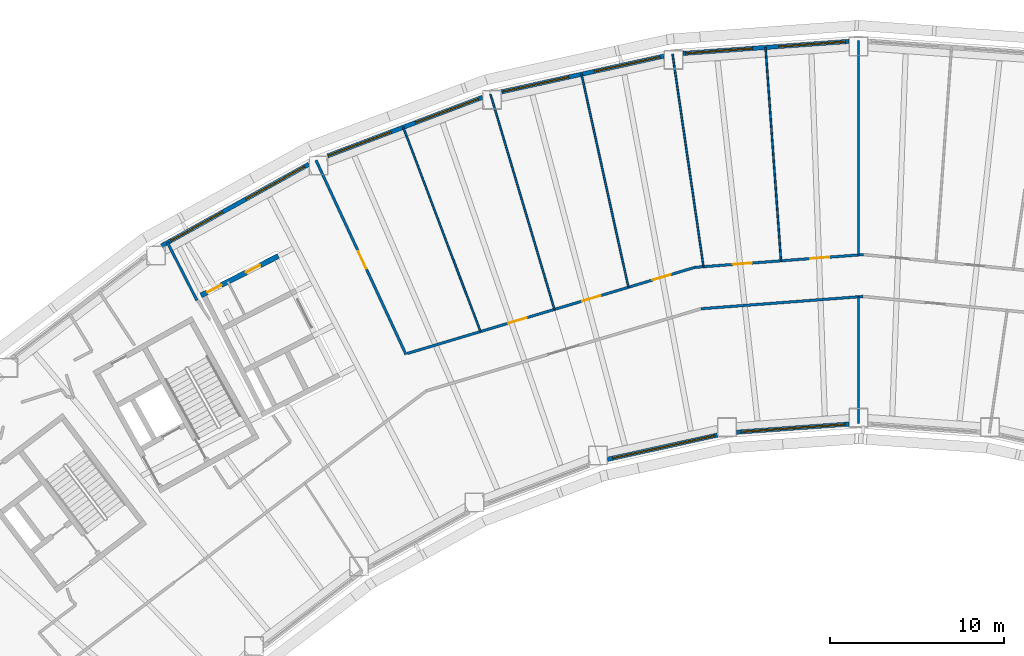
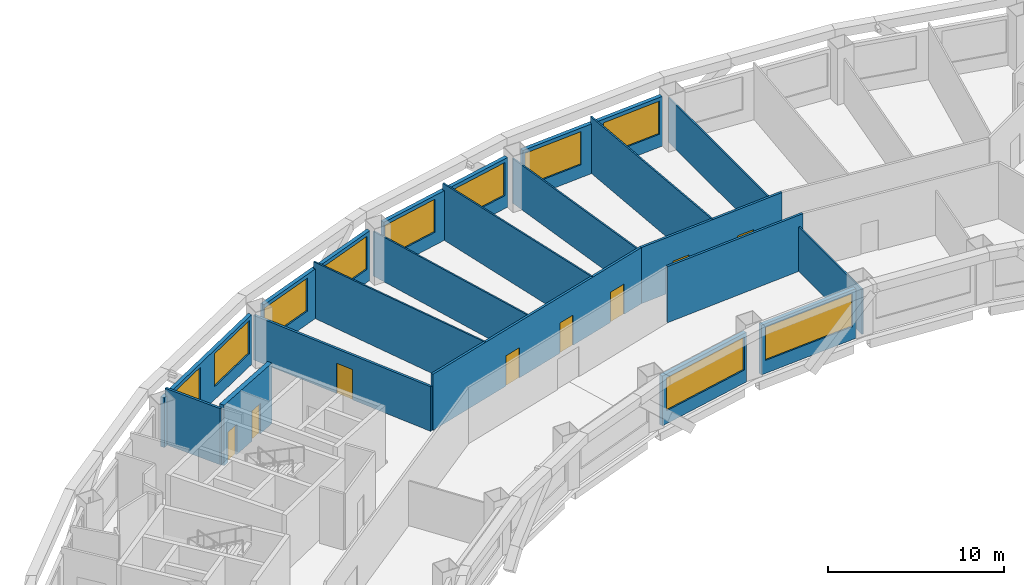
# One storey, part 5 of 16: 19 walls, 10 windows, 8 doors, 18 openings.
"""IFC4 building model written with IfcOpenShell, lengths in metres."""

from ifc_helpers import new_model, si_unit, direction, frame, frame_2d, origin, place, context, subcontext, project, spatial, rectangle, extrude, material, layer, layer_set, type_object, element, fill, save


model = new_model("IFC4")

# Units and contexts
model_context = context("Model", 3, precision=1e-05, world=origin(), true_north=direction((0.0, 1.0)))
body_context = subcontext(model_context, "Body", "Model", "MODEL_VIEW")
ifc_project = project(units=[si_unit("LENGTHUNIT", "METRE"), si_unit("AREAUNIT", "SQUARE_METRE"), si_unit("VOLUMEUNIT", "CUBIC_METRE"), si_unit("PLANEANGLEUNIT", "RADIAN"), si_unit("MASSUNIT", "GRAM", prefix="KILO")], contexts=[model_context])

# Site, building, storey
site_placement = place(None, origin())
site = spatial("IfcSite", under=ifc_project, at=site_placement, CompositionType="ELEMENT")
building_placement = place(site_placement, origin())
building = spatial("IfcBuilding", under=site, at=building_placement, Name="Tuul Gate Civic Tower", CompositionType="ELEMENT")
storey_placement = place(building_placement, frame((0.0, 0.0, 124.5)))
storey = spatial("IfcBuildingStorey", under=building, at=storey_placement, Name="Level 28", CompositionType="ELEMENT", Elevation=124.5)

# Wall, openings, doors
ifc_material_1 = material(Name="Gypsum board partition")
ifc_layer_1 = layer(ifc_material_1, 0.14990234375)
ifc_layer_set_1 = layer_set([ifc_layer_1], Name="Gypsum board partition")
wall_type_1 = type_object("IfcWallType", Name="Corridor wall P150", PredefinedType="PARTITIONING", material=ifc_layer_set_1)
wall_1_placement = place(storey_placement, frame((0.42431640625, 0.978271484375, 0.0), z_axis=(0.0, 0.0, 1.0), x_axis=(0.997139070822, 0.075588844679, 0.0)))
wall_1 = element("IfcWall", 1, at=wall_1_placement, inside=storey, type_object=wall_type_1, Name="p064", PredefinedType="PARTITIONING", context=body_context, shape_type="SweptSolid", body=[
    extrude(rectangle(XDim=9.708984375, YDim=0.14990234375, at=frame_2d((4.8544921875, 0.0))), origin(), (0.0, 0.0, 1.0), 3.89990234375),
])
opening_1_placement = place(wall_1_placement, frame((6.645263671875, 0.0, 0.0)))
opening_1 = element("IfcOpeningElement", 2, at=opening_1_placement, cuts=wall_1, Name="Opening I-D11", PredefinedType="OPENING", context=body_context, shape_type="SweptSolid", body=[
    extrude(rectangle(XDim=1.10009765625, YDim=2.10009765625, at=frame_2d((0.550048828125, 1.050048828125))), frame((0.0, 0.0849609375, 0.0), z_axis=(0.0, -1.0, 0.0), x_axis=(1.0, 0.0, 0.0)), (0.0, 0.0, 1.0), 0.169921875),
])
opening_2_placement = place(wall_1_placement, frame((2.17431640625, 0.0, 0.0)))
opening_2 = element("IfcOpeningElement", 3, at=opening_2_placement, cuts=wall_1, Name="Opening I-D12", PredefinedType="OPENING", context=body_context, shape_type="SweptSolid", body=[
    extrude(rectangle(XDim=1.10009765625, YDim=2.10009765625, at=frame_2d((0.550048828125, 1.050048828125))), frame((0.0, 0.0849609375, 0.0), z_axis=(0.0, -1.0, 0.0), x_axis=(1.0, 0.0, 0.0)), (0.0, 0.0, 1.0), 0.169921875),
])
ifc_material_2 = material(Name="Timber door leaf", Category="wood")
door_type_1 = type_object("IfcDoorType", Name="Door D11", OperationType="NOTDEFINED", PredefinedType="DOOR", material=ifc_material_2)
door_1_placement = place(opening_1_placement, origin())
door_1 = element("IfcDoor", 4, at=door_1_placement, inside=storey, type_object=door_type_1, Name="Door I-D11", OperationType="SINGLE_SWING_RIGHT", OverallHeight=2.10009765625, OverallWidth=1.10009765625, PredefinedType="DOOR", context=body_context, shape_type="SweptSolid", body=[
    extrude(rectangle(XDim=1.10009765625, YDim=2.10009765625, at=frame_2d((0.550048828125, 1.050048828125))), frame((0.0, 0.02490234375, 0.0), z_axis=(0.0, -1.0, 0.0), x_axis=(1.0, 0.0, 0.0)), (0.0, 0.0, 1.0), 0.050048828125),
])
fill(opening_1, door_1)
door_2_placement = place(opening_2_placement, origin())
door_2 = element("IfcDoor", 5, at=door_2_placement, inside=storey, type_object=door_type_1, Name="Door I-D12", OperationType="SINGLE_SWING_RIGHT", OverallHeight=2.10009765625, OverallWidth=1.10009765625, PredefinedType="DOOR", context=body_context, shape_type="SweptSolid", body=[
    extrude(rectangle(XDim=1.10009765625, YDim=2.10009765625, at=frame_2d((0.550048828125, 1.050048828125))), frame((0.0, 0.02490234375, 0.0), z_axis=(0.0, -1.0, 0.0), x_axis=(1.0, 0.0, 0.0)), (0.0, 0.0, 1.0), 0.050048828125),
])
fill(opening_2, door_2)

wall_2_placement = place(storey_placement, frame((-16.12744140625, -3.9775390625, 0.0), z_axis=(0.0, 0.0, 1.0), x_axis=(0.957976676309, 0.286846104467, 0.0)))
wall_2 = element("IfcWall", 6, at=wall_2_placement, inside=storey, type_object=wall_type_1, Name="p068", PredefinedType="PARTITIONING", context=body_context, shape_type="SweptSolid", body=[
    extrude(rectangle(XDim=17.276123046875, YDim=0.14990234375, at=frame_2d((8.63818359375, 0.0))), origin(), (0.0, 0.0, 1.0), 3.89990234375),
])
opening_3_placement = place(wall_2_placement, frame((14.728515625, 0.0, 0.0)))
opening_3 = element("IfcOpeningElement", 7, at=opening_3_placement, cuts=wall_2, Name="Opening I-D13", PredefinedType="OPENING", context=body_context, shape_type="SweptSolid", body=[
    extrude(rectangle(XDim=1.10009765625, YDim=2.10009765625, at=frame_2d((0.550048828125, 1.050048828125))), frame((0.0, 0.0849609375, 0.0), z_axis=(0.0, -1.0, 0.0), x_axis=(1.0, 0.0, 0.0)), (0.0, 0.0, 1.0), 0.169921875),
])
opening_4_placement = place(wall_2_placement, frame((10.51025390625, 0.0, 0.0)))
opening_4 = element("IfcOpeningElement", 8, at=opening_4_placement, cuts=wall_2, Name="Opening I-D14", PredefinedType="OPENING", context=body_context, shape_type="SweptSolid", body=[
    extrude(rectangle(XDim=1.10009765625, YDim=2.10009765625, at=frame_2d((0.550048828125, 1.050048828125))), frame((0.0, 0.0849609375, 0.0), z_axis=(0.0, -1.0, 0.0), x_axis=(1.0, 0.0, 0.0)), (0.0, 0.0, 1.0), 0.169921875),
])
opening_5_placement = place(wall_2_placement, frame((6.069091796875, 0.0, 0.0)))
opening_5 = element("IfcOpeningElement", 9, at=opening_5_placement, cuts=wall_2, Name="Opening I-D15", PredefinedType="OPENING", context=body_context, shape_type="SweptSolid", body=[
    extrude(rectangle(XDim=1.10009765625, YDim=2.10009765625, at=frame_2d((0.550048828125, 1.050048828125))), frame((0.0, 0.0849609375, 0.0), z_axis=(0.0, -1.0, 0.0), x_axis=(1.0, 0.0, 0.0)), (0.0, 0.0, 1.0), 0.169921875),
])
door_3_placement = place(opening_3_placement, origin())
door_3 = element("IfcDoor", 10, at=door_3_placement, inside=storey, type_object=door_type_1, Name="Door I-D13", OperationType="SINGLE_SWING_LEFT", OverallHeight=2.10009765625, OverallWidth=1.10009765625, PredefinedType="DOOR", context=body_context, shape_type="SweptSolid", body=[
    extrude(rectangle(XDim=1.10009765625, YDim=2.10009765625, at=frame_2d((0.550048828125, 1.050048828125))), frame((0.0, 0.02490234375, 0.0), z_axis=(0.0, -1.0, 0.0), x_axis=(1.0, 0.0, 0.0)), (0.0, 0.0, 1.0), 0.050048828125),
])
fill(opening_3, door_3)
door_4_placement = place(opening_4_placement, origin())
door_4 = element("IfcDoor", 11, at=door_4_placement, inside=storey, type_object=door_type_1, Name="Door I-D14", OperationType="SINGLE_SWING_RIGHT", OverallHeight=2.10009765625, OverallWidth=1.10009765625, PredefinedType="DOOR", context=body_context, shape_type="SweptSolid", body=[
    extrude(rectangle(XDim=1.10009765625, YDim=2.10009765625, at=frame_2d((0.550048828125, 1.050048828125))), frame((0.0, 0.02490234375, 0.0), z_axis=(0.0, -1.0, 0.0), x_axis=(1.0, 0.0, 0.0)), (0.0, 0.0, 1.0), 0.050048828125),
])
fill(opening_4, door_4)
door_5_placement = place(opening_5_placement, origin())
door_5 = element("IfcDoor", 12, at=door_5_placement, inside=storey, type_object=door_type_1, Name="Door I-D15", OperationType="SINGLE_SWING_RIGHT", OverallHeight=2.10009765625, OverallWidth=1.10009765625, PredefinedType="DOOR", context=body_context, shape_type="SweptSolid", body=[
    extrude(rectangle(XDim=1.10009765625, YDim=2.10009765625, at=frame_2d((0.550048828125, 1.050048828125))), frame((0.0, 0.02490234375, 0.0), z_axis=(0.0, -1.0, 0.0), x_axis=(1.0, 0.0, 0.0)), (0.0, 0.0, 1.0), 0.050048828125),
])
fill(opening_5, door_5)

# Walls
wall_3_placement = place(storey_placement, frame((-29.917236328125, 2.4052734375, 0.0), z_axis=(0.0, 0.0, 1.0), x_axis=(0.454025669569, -0.890988603391, 0.0)))
element("IfcWall", 13, at=wall_3_placement, inside=storey, type_object=wall_type_1, Name="p074", PredefinedType="PARTITIONING", context=body_context, shape_type="SweptSolid", body=[
    extrude(rectangle(XDim=3.734375, YDim=0.14990234375, at=frame_2d((1.8671875, 0.0))), origin(), (0.0, 0.0, 1.0), 3.89990234375),
])
wall_4_placement = place(storey_placement, frame((0.7783203125, -1.40185546875, 0.0), z_axis=(0.0, 0.0, 1.0), x_axis=(0.997138563909, 0.075595531385, 0.0)))
element("IfcWall", 14, at=wall_4_placement, inside=storey, type_object=wall_type_1, Name="p098", PredefinedType="PARTITIONING", context=body_context, shape_type="SweptSolid", body=[
    extrude(rectangle(XDim=9.326904296875, YDim=0.14990234375, at=frame_2d((4.66357421875, 0.0))), origin(), (0.0, 0.0, 1.0), 3.89990234375),
])

# Wall, opening, door
ifc_material_3 = material(Name="Gypsum board partition")
ifc_layer_2 = layer(ifc_material_3, 0.14990234375)
ifc_layer_set_2 = layer_set([ifc_layer_2], Name="Gypsum board partition")
wall_type_2 = type_object("IfcWallType", Name="Corridor wall P150 3100 HIGH", PredefinedType="PARTITIONING", material=ifc_layer_set_2)
wall_5_placement = place(storey_placement, frame((-21.374267578125, 7.140869140625, 0.0), z_axis=(0.0, 0.0, 1.0), x_axis=(0.420365460489, -0.907354880754, 0.0)))
wall_5 = element("IfcWall", 15, at=wall_5_placement, inside=storey, type_object=wall_type_2, Name="p073", PredefinedType="PARTITIONING", context=body_context, shape_type="SweptSolid", body=[
    extrude(rectangle(XDim=12.3125, YDim=0.14990234375, at=frame_2d((6.15625, 0.0))), origin(), (0.0, 0.0, 1.0), 3.10009765625),
])
opening_6_placement = place(wall_5_placement, frame((5.771728515625, 0.0, 0.0)))
opening_6 = element("IfcOpeningElement", 16, at=opening_6_placement, cuts=wall_5, Name="Opening I-D16", PredefinedType="OPENING", context=body_context, shape_type="SweptSolid", body=[
    extrude(rectangle(XDim=1.10009765625, YDim=2.10009765625, at=frame_2d((0.550048828125, 1.050048828125))), frame((0.0, 0.0849609375, 0.0), z_axis=(0.0, -1.0, 0.0), x_axis=(1.0, 0.0, 0.0)), (0.0, 0.0, 1.0), 0.169921875),
])
door_6_placement = place(opening_6_placement, origin())
door_6 = element("IfcDoor", 17, at=door_6_placement, inside=storey, type_object=door_type_1, Name="Door I-D16", OperationType="SINGLE_SWING_RIGHT", OverallHeight=2.10009765625, OverallWidth=1.10009765625, PredefinedType="DOOR", context=body_context, shape_type="SweptSolid", body=[
    extrude(rectangle(XDim=1.10009765625, YDim=2.10009765625, at=frame_2d((0.550048828125, 1.050048828125))), frame((0.0, 0.02490234375, 0.0), z_axis=(0.0, -1.0, 0.0), x_axis=(1.0, 0.0, 0.0)), (0.0, 0.0, 1.0), 0.050048828125),
])
fill(opening_6, door_6)

# Wall, openings, windows
ifc_material_4 = material(Name="Precast concrete C40/50", Category="concrete")
ifc_layer_3 = layer(ifc_material_4, 0.25)
ifc_layer_set_3 = layer_set([ifc_layer_3], Name="Precast concrete C40/50")
wall_type_3 = type_object("IfcWallType", Name="External wall", PredefinedType="STANDARD", material=ifc_layer_set_3)
wall_6_placement = place(storey_placement, frame((9.279052734375, 13.972900390625, 0.0), z_axis=(0.0, 0.0, 1.0), x_axis=(-0.99738031898, -0.072336016692, 0.0)))
wall_6 = element("IfcWall", 18, at=wall_6_placement, inside=storey, type_object=wall_type_3, Name="External wall", PredefinedType="STANDARD", context=body_context, shape_type="SweptSolid", body=[
    extrude(rectangle(XDim=9.5751953125, YDim=0.25, at=frame_2d((4.78759765625, 0.0))), origin(), (0.0, 0.0, 1.0), 3.449951171875),
])
opening_7_placement = place(wall_6_placement, frame((0.2001953125, 0.0, 0.89990234375)))
opening_7 = element("IfcOpeningElement", 19, at=opening_7_placement, cuts=wall_6, Name="Opening W22", PredefinedType="OPENING", context=body_context, shape_type="SweptSolid", body=[
    extrude(rectangle(XDim=3.85009765625, YDim=2.300048828125, at=frame_2d((1.925048828125, 1.14990234375))), frame((0.0, 0.135009765625, 0.0), z_axis=(0.0, -1.0, 0.0), x_axis=(1.0, 0.0, 0.0)), (0.0, 0.0, 1.0), 0.27001953125),
])
opening_8_placement = place(wall_6_placement, frame((5.57177734375, 0.0, 0.89990234375)))
opening_8 = element("IfcOpeningElement", 20, at=opening_8_placement, cuts=wall_6, Name="Opening W22", PredefinedType="OPENING", context=body_context, shape_type="SweptSolid", body=[
    extrude(rectangle(XDim=3.85009765625, YDim=2.300048828125, at=frame_2d((1.925048828125, 1.14990234375))), frame((0.0, 0.135009765625, 0.0), z_axis=(0.0, -1.0, 0.0), x_axis=(1.0, 0.0, 0.0)), (0.0, 0.0, 1.0), 0.27001953125),
])
ifc_material_5 = material(Name="Glass", Category="glass")
window_type_1 = type_object("IfcWindowType", Name="Window W22 3850 x 2300", PartitioningType="SINGLE_PANEL", PredefinedType="WINDOW", material=ifc_material_5)
window_1_placement = place(opening_7_placement, origin())
window_1 = element("IfcWindow", 21, at=window_1_placement, inside=storey, type_object=window_type_1, Name="Window", OverallHeight=2.300048828125, OverallWidth=3.85009765625, PartitioningType="SINGLE_PANEL", PredefinedType="WINDOW", context=body_context, shape_type="SweptSolid", body=[
    extrude(rectangle(XDim=3.85009765625, YDim=2.300048828125, at=frame_2d((1.925048828125, 1.14990234375))), frame((0.0, 0.030029296875, 0.0), z_axis=(0.0, -1.0, 0.0), x_axis=(1.0, 0.0, 0.0)), (0.0, 0.0, 1.0), 0.06005859375),
])
fill(opening_7, window_1)
window_2_placement = place(opening_8_placement, origin())
window_2 = element("IfcWindow", 22, at=window_2_placement, inside=storey, type_object=window_type_1, Name="Window", OverallHeight=2.300048828125, OverallWidth=3.85009765625, PartitioningType="SINGLE_PANEL", PredefinedType="WINDOW", context=body_context, shape_type="SweptSolid", body=[
    extrude(rectangle(XDim=3.85009765625, YDim=2.300048828125, at=frame_2d((1.925048828125, 1.14990234375))), frame((0.0, 0.030029296875, 0.0), z_axis=(0.0, -1.0, 0.0), x_axis=(1.0, 0.0, 0.0)), (0.0, 0.0, 1.0), 0.06005859375),
])
fill(opening_8, window_2)

wall_7_placement = place(storey_placement, frame((-1.37109375, 13.126220703125, 0.0), z_axis=(0.0, 0.0, 1.0), x_axis=(-0.976556736289, -0.215260170047, 0.0)))
wall_7 = element("IfcWall", 23, at=wall_7_placement, inside=storey, type_object=wall_type_3, Name="External wall", PredefinedType="STANDARD", context=body_context, shape_type="SweptSolid", body=[
    extrude(rectangle(XDim=9.55078125, YDim=0.25, at=frame_2d((4.775390625, 0.0))), origin(), (0.0, 0.0, 1.0), 3.449951171875),
])
opening_9_placement = place(wall_7_placement, frame((0.236328125, 0.0, 0.89990234375)))
opening_9 = element("IfcOpeningElement", 24, at=opening_9_placement, cuts=wall_7, Name="Opening W22", PredefinedType="OPENING", context=body_context, shape_type="SweptSolid", body=[
    extrude(rectangle(XDim=3.85009765625, YDim=2.300048828125, at=frame_2d((1.925048828125, 1.14990234375))), frame((0.0, 0.135009765625, 0.0), z_axis=(0.0, -1.0, 0.0), x_axis=(1.0, 0.0, 0.0)), (0.0, 0.0, 1.0), 0.27001953125),
])
opening_10_placement = place(wall_7_placement, frame((5.607177734375, 0.0, 0.89990234375)))
opening_10 = element("IfcOpeningElement", 25, at=opening_10_placement, cuts=wall_7, Name="Opening W22", PredefinedType="OPENING", context=body_context, shape_type="SweptSolid", body=[
    extrude(rectangle(XDim=3.85009765625, YDim=2.300048828125, at=frame_2d((1.925048828125, 1.14990234375))), frame((0.0, 0.135009765625, 0.0), z_axis=(0.0, -1.0, 0.0), x_axis=(1.0, 0.0, 0.0)), (0.0, 0.0, 1.0), 0.27001953125),
])
window_3_placement = place(opening_9_placement, origin())
window_3 = element("IfcWindow", 26, at=window_3_placement, inside=storey, type_object=window_type_1, Name="Window", OverallHeight=2.300048828125, OverallWidth=3.85009765625, PartitioningType="SINGLE_PANEL", PredefinedType="WINDOW", context=body_context, shape_type="SweptSolid", body=[
    extrude(rectangle(XDim=3.85009765625, YDim=2.300048828125, at=frame_2d((1.925048828125, 1.14990234375))), frame((0.0, 0.030029296875, 0.0), z_axis=(0.0, -1.0, 0.0), x_axis=(1.0, 0.0, 0.0)), (0.0, 0.0, 1.0), 0.06005859375),
])
fill(opening_9, window_3)
window_4_placement = place(opening_10_placement, origin())
window_4 = element("IfcWindow", 27, at=window_4_placement, inside=storey, type_object=window_type_1, Name="Window", OverallHeight=2.300048828125, OverallWidth=3.85009765625, PartitioningType="SINGLE_PANEL", PredefinedType="WINDOW", context=body_context, shape_type="SweptSolid", body=[
    extrude(rectangle(XDim=3.85009765625, YDim=2.300048828125, at=frame_2d((1.925048828125, 1.14990234375))), frame((0.0, 0.030029296875, 0.0), z_axis=(0.0, -1.0, 0.0), x_axis=(1.0, 0.0, 0.0)), (0.0, 0.0, 1.0), 0.06005859375),
])
fill(opening_10, window_4)

wall_8_placement = place(storey_placement, frame((-11.798095703125, 10.755859375, 0.0), z_axis=(0.0, 0.0, 1.0), x_axis=(-0.935382365762, -0.353637992617, 0.0)))
wall_8 = element("IfcWall", 28, at=wall_8_placement, inside=storey, type_object=wall_type_3, Name="External wall", PredefinedType="STANDARD", context=body_context, shape_type="SweptSolid", body=[
    extrude(rectangle(XDim=9.51806640625, YDim=0.25, at=frame_2d((4.759033203125, 0.0))), origin(), (0.0, 0.0, 1.0), 3.449951171875),
])
opening_11_placement = place(wall_8_placement, frame((0.262451171875, 0.0, 0.89990234375)))
opening_11 = element("IfcOpeningElement", 29, at=opening_11_placement, cuts=wall_8, Name="Opening W22", PredefinedType="OPENING", context=body_context, shape_type="SweptSolid", body=[
    extrude(rectangle(XDim=3.85009765625, YDim=2.300048828125, at=frame_2d((1.925048828125, 1.14990234375))), frame((0.0, 0.135009765625, 0.0), z_axis=(0.0, -1.0, 0.0), x_axis=(1.0, 0.0, 0.0)), (0.0, 0.0, 1.0), 0.27001953125),
])
opening_12_placement = place(wall_8_placement, frame((5.634033203125, 0.0, 0.89990234375)))
opening_12 = element("IfcOpeningElement", 30, at=opening_12_placement, cuts=wall_8, Name="Opening W22", PredefinedType="OPENING", context=body_context, shape_type="SweptSolid", body=[
    extrude(rectangle(XDim=3.85009765625, YDim=2.300048828125, at=frame_2d((1.925048828125, 1.14990234375))), frame((0.0, 0.135009765625, 0.0), z_axis=(0.0, -1.0, 0.0), x_axis=(1.0, 0.0, 0.0)), (0.0, 0.0, 1.0), 0.27001953125),
])
window_5_placement = place(opening_11_placement, origin())
window_5 = element("IfcWindow", 31, at=window_5_placement, inside=storey, type_object=window_type_1, Name="Window", OverallHeight=2.300048828125, OverallWidth=3.85009765625, PartitioningType="SINGLE_PANEL", PredefinedType="WINDOW", context=body_context, shape_type="SweptSolid", body=[
    extrude(rectangle(XDim=3.85009765625, YDim=2.300048828125, at=frame_2d((1.925048828125, 1.14990234375))), frame((0.0, 0.030029296875, 0.0), z_axis=(0.0, -1.0, 0.0), x_axis=(1.0, 0.0, 0.0)), (0.0, 0.0, 1.0), 0.06005859375),
])
fill(opening_11, window_5)
window_6_placement = place(opening_12_placement, origin())
window_6 = element("IfcWindow", 32, at=window_6_placement, inside=storey, type_object=window_type_1, Name="Window", OverallHeight=2.300048828125, OverallWidth=3.85009765625, PartitioningType="SINGLE_PANEL", PredefinedType="WINDOW", context=body_context, shape_type="SweptSolid", body=[
    extrude(rectangle(XDim=3.85009765625, YDim=2.300048828125, at=frame_2d((1.925048828125, 1.14990234375))), frame((0.0, 0.030029296875, 0.0), z_axis=(0.0, -1.0, 0.0), x_axis=(1.0, 0.0, 0.0)), (0.0, 0.0, 1.0), 0.06005859375),
])
fill(opening_12, window_6)

wall_9_placement = place(storey_placement, frame((-21.784912109375, 6.907470703125, 0.0), z_axis=(0.0, 0.0, 1.0), x_axis=(-0.874619623874, -0.484809770461, 0.0)))
wall_9 = element("IfcWall", 33, at=wall_9_placement, inside=storey, type_object=wall_type_3, Name="External wall", PredefinedType="STANDARD", context=body_context, shape_type="SweptSolid", body=[
    extrude(rectangle(XDim=9.680908203125, YDim=0.25, at=frame_2d((4.84033203125, 0.0))), origin(), (0.0, 0.0, 1.0), 3.449951171875),
])
opening_13_placement = place(wall_9_placement, frame((0.279541015625, 0.0, 0.89990234375)))
opening_13 = element("IfcOpeningElement", 34, at=opening_13_placement, cuts=wall_9, Name="Opening W22", PredefinedType="OPENING", context=body_context, shape_type="SweptSolid", body=[
    extrude(rectangle(XDim=3.85009765625, YDim=2.300048828125, at=frame_2d((1.925048828125, 1.14990234375))), frame((0.0, 0.135009765625, 0.0), z_axis=(0.0, -1.0, 0.0), x_axis=(1.0, 0.0, 0.0)), (0.0, 0.0, 1.0), 0.27001953125),
])
opening_14_placement = place(wall_9_placement, frame((5.6728515625, 0.0, 0.89990234375)))
opening_14 = element("IfcOpeningElement", 35, at=opening_14_placement, cuts=wall_9, Name="Opening W32", PredefinedType="OPENING", context=body_context, shape_type="SweptSolid", body=[
    extrude(rectangle(XDim=3.39990234375, YDim=2.300048828125, at=frame_2d((1.699951171875, 1.14990234375))), frame((0.0, 0.135009765625, 0.0), z_axis=(0.0, -1.0, 0.0), x_axis=(1.0, 0.0, 0.0)), (0.0, 0.0, 1.0), 0.27001953125),
])
ifc_material_6 = material(Name="Glass", Category="glass")
window_type_2 = type_object("IfcWindowType", Name="Window 3400 x 2300", PartitioningType="SINGLE_PANEL", PredefinedType="WINDOW", material=ifc_material_6)
window_7_placement = place(opening_14_placement, origin())
window_7 = element("IfcWindow", 36, at=window_7_placement, inside=storey, type_object=window_type_2, Name="Window", OverallHeight=2.300048828125, OverallWidth=3.39990234375, PartitioningType="SINGLE_PANEL", PredefinedType="WINDOW", context=body_context, shape_type="SweptSolid", body=[
    extrude(rectangle(XDim=3.39990234375, YDim=2.300048828125, at=frame_2d((1.699951171875, 1.14990234375))), frame((0.0, 0.030029296875, 0.0), z_axis=(0.0, -1.0, 0.0), x_axis=(1.0, 0.0, 0.0)), (0.0, 0.0, 1.0), 0.06005859375),
])
fill(opening_14, window_7)
window_8_placement = place(opening_13_placement, origin())
window_8 = element("IfcWindow", 37, at=window_8_placement, inside=storey, type_object=window_type_1, Name="Window", OverallHeight=2.300048828125, OverallWidth=3.85009765625, PartitioningType="SINGLE_PANEL", PredefinedType="WINDOW", context=body_context, shape_type="SweptSolid", body=[
    extrude(rectangle(XDim=3.85009765625, YDim=2.300048828125, at=frame_2d((1.925048828125, 1.14990234375))), frame((0.0, 0.030029296875, 0.0), z_axis=(0.0, -1.0, 0.0), x_axis=(1.0, 0.0, 0.0)), (0.0, 0.0, 1.0), 0.06005859375),
])
fill(opening_13, window_8)

# Wall, opening, window
wall_10_placement = place(storey_placement, frame((-4.60693359375, -10.063232421875, 0.0), z_axis=(0.0, 0.0, 1.0), x_axis=(0.976562304854, 0.215234905949, 0.0)))
wall_10 = element("IfcWall", 38, at=wall_10_placement, inside=storey, type_object=wall_type_3, Name="External wall", PredefinedType="STANDARD", context=body_context, shape_type="SweptSolid", body=[
    extrude(rectangle(XDim=6.465576171875, YDim=0.25, at=frame_2d((3.23291015625, 0.0))), origin(), (0.0, 0.0, 1.0), 3.449951171875),
])
opening_15_placement = place(wall_10_placement, frame((0.304443359375, 0.0, 0.89990234375)))
opening_15 = element("IfcOpeningElement", 39, at=opening_15_placement, cuts=wall_10, Name="Opening W26", PredefinedType="OPENING", context=body_context, shape_type="SweptSolid", body=[
    extrude(rectangle(XDim=6.0, YDim=2.300048828125, at=frame_2d((3.0, 1.14990234375))), frame((0.0, 0.135009765625, 0.0), z_axis=(0.0, -1.0, 0.0), x_axis=(1.0, 0.0, 0.0)), (0.0, 0.0, 1.0), 0.27001953125),
])
ifc_material_7 = material(Name="Glass", Category="glass")
window_type_3 = type_object("IfcWindowType", Name="Window W26 6000 x 2300", PartitioningType="SINGLE_PANEL", PredefinedType="WINDOW", material=ifc_material_7)
window_9_placement = place(opening_15_placement, origin())
window_9 = element("IfcWindow", 40, at=window_9_placement, inside=storey, type_object=window_type_3, Name="Window", OverallHeight=2.300048828125, OverallWidth=6.0, PartitioningType="SINGLE_PANEL", PredefinedType="WINDOW", context=body_context, shape_type="SweptSolid", body=[
    extrude(rectangle(XDim=6.0, YDim=2.300048828125, at=frame_2d((3.0, 1.14990234375))), frame((0.0, 0.030029296875, 0.0), z_axis=(0.0, -1.0, 0.0), x_axis=(1.0, 0.0, 0.0)), (0.0, 0.0, 1.0), 0.06005859375),
])
fill(opening_15, window_9)

wall_11_placement = place(storey_placement, frame((2.806884765625, -8.503662109375, 0.0), z_axis=(0.0, 0.0, 1.0), x_axis=(0.997392965156, 0.072161437464, 0.0)))
wall_11 = element("IfcWall", 41, at=wall_11_placement, inside=storey, type_object=wall_type_3, Name="External wall", PredefinedType="STANDARD", context=body_context, shape_type="SweptSolid", body=[
    extrude(rectangle(XDim=6.489013671875, YDim=0.25, at=frame_2d((3.24462890625, 0.0))), origin(), (0.0, 0.0, 1.0), 3.449951171875),
])
opening_16_placement = place(wall_11_placement, frame((0.26806640625, 0.0, 0.89990234375)))
opening_16 = element("IfcOpeningElement", 42, at=opening_16_placement, cuts=wall_11, Name="Opening W26", PredefinedType="OPENING", context=body_context, shape_type="SweptSolid", body=[
    extrude(rectangle(XDim=6.0, YDim=2.300048828125, at=frame_2d((3.0, 1.14990234375))), frame((0.0, 0.135009765625, 0.0), z_axis=(0.0, -1.0, 0.0), x_axis=(1.0, 0.0, 0.0)), (0.0, 0.0, 1.0), 0.27001953125),
])
window_10_placement = place(opening_16_placement, origin())
window_10 = element("IfcWindow", 43, at=window_10_placement, inside=storey, type_object=window_type_3, Name="Window", OverallHeight=2.300048828125, OverallWidth=6.0, PartitioningType="SINGLE_PANEL", PredefinedType="WINDOW", context=body_context, shape_type="SweptSolid", body=[
    extrude(rectangle(XDim=6.0, YDim=2.300048828125, at=frame_2d((3.0, 1.14990234375))), frame((0.0, 0.030029296875, 0.0), z_axis=(0.0, -1.0, 0.0), x_axis=(1.0, 0.0, 0.0)), (0.0, 0.0, 1.0), 0.06005859375),
])
fill(opening_16, window_10)

# Wall, openings, doors
ifc_material_8 = material(Name="Concrete C40/50", Category="concrete")
ifc_layer_4 = layer(ifc_material_8, 0.300048828125)
ifc_layer_set_4 = layer_set([ifc_layer_4], Name="Concrete C40/50")
wall_type_4 = type_object("IfcWallType", Name="Lift shaft wall C40/50", PredefinedType="STANDARD", material=ifc_layer_set_4)
wall_12_placement = place(storey_placement, frame((-23.544921875, 1.62841796875, -0.300048828125), z_axis=(0.0, 0.0, 1.0), x_axis=(-0.891002976909, -0.453997461601, 0.0)))
wall_12 = element("IfcWall", 44, at=wall_12_placement, inside=storey, type_object=wall_type_4, Name="Shaft wall", PredefinedType="STANDARD", context=body_context, shape_type="SweptSolid", body=[
    extrude(rectangle(XDim=5.0, YDim=0.300048828125, at=frame_2d((2.5, 0.0))), origin(), (0.0, 0.0, 1.0), 4.199951171875),
])
opening_17_placement = place(wall_12_placement, frame((1.175048828125, 0.0, 0.0)))
opening_17 = element("IfcOpeningElement", 45, at=opening_17_placement, cuts=wall_12, Name="Opening I-D33", PredefinedType="OPENING", context=body_context, shape_type="SweptSolid", body=[
    extrude(rectangle(XDim=0.89990234375, YDim=2.10009765625, at=frame_2d((0.449951171875, 1.050048828125))), frame((0.0, 0.16015625, 0.0), z_axis=(0.0, -1.0, 0.0), x_axis=(1.0, 0.0, 0.0)), (0.0, 0.0, 1.0), 0.320068359375),
])
opening_18_placement = place(wall_12_placement, frame((3.675048828125, 0.0, 0.0)))
opening_18 = element("IfcOpeningElement", 46, at=opening_18_placement, cuts=wall_12, Name="Opening I-D34", PredefinedType="OPENING", context=body_context, shape_type="SweptSolid", body=[
    extrude(rectangle(XDim=0.89990234375, YDim=2.10009765625, at=frame_2d((0.449951171875, 1.050048828125))), frame((0.0, 0.16015625, 0.0), z_axis=(0.0, -1.0, 0.0), x_axis=(1.0, 0.0, 0.0)), (0.0, 0.0, 1.0), 0.320068359375),
])
ifc_material_9 = material(Name="Timber door leaf", Category="wood")
door_type_2 = type_object("IfcDoorType", Name="Door D09", OperationType="NOTDEFINED", PredefinedType="DOOR", material=ifc_material_9)
door_7_placement = place(opening_17_placement, origin())
door_7 = element("IfcDoor", 47, at=door_7_placement, inside=storey, type_object=door_type_2, Name="Door I-D33", OperationType="SINGLE_SWING_RIGHT", OverallHeight=2.10009765625, OverallWidth=0.89990234375, PredefinedType="DOOR", context=body_context, shape_type="SweptSolid", body=[
    extrude(rectangle(XDim=0.89990234375, YDim=2.10009765625, at=frame_2d((0.449951171875, 1.050048828125))), frame((0.0, 0.02490234375, 0.0), z_axis=(0.0, -1.0, 0.0), x_axis=(1.0, 0.0, 0.0)), (0.0, 0.0, 1.0), 0.050048828125),
])
fill(opening_17, door_7)
door_8_placement = place(opening_18_placement, origin())
door_8 = element("IfcDoor", 48, at=door_8_placement, inside=storey, type_object=door_type_2, Name="Door I-D34", OperationType="SINGLE_SWING_LEFT", OverallHeight=2.10009765625, OverallWidth=0.89990234375, PredefinedType="DOOR", context=body_context, shape_type="SweptSolid", body=[
    extrude(rectangle(XDim=0.89990234375, YDim=2.10009765625, at=frame_2d((0.449951171875, 1.050048828125))), frame((0.0, 0.02490234375, 0.0), z_axis=(0.0, -1.0, 0.0), x_axis=(1.0, 0.0, 0.0)), (0.0, 0.0, 1.0), 0.050048828125),
])
fill(opening_18, door_8)

# Walls
ifc_material_10 = material(Name="Gypsum board partition")
ifc_layer_5 = layer(ifc_material_10, 0.10009765625)
ifc_layer_set_5 = layer_set([ifc_layer_5], Name="Gypsum board partition")
wall_type_5 = type_object("IfcWallType", Name="Partition P100", PredefinedType="PARTITIONING", material=ifc_layer_set_5)
wall_13_placement = place(storey_placement, frame((4.480224609375, 13.6298828125, 0.0), z_axis=(0.0, 0.0, 1.0), x_axis=(0.072236514854, -0.997387530462, 0.0)))
element("IfcWall", 49, at=wall_13_placement, inside=storey, type_object=wall_type_5, Name="p065", PredefinedType="PARTITIONING", context=body_context, shape_type="SweptSolid", body=[
    extrude(rectangle(XDim=12.30908203125, YDim=0.10009765625, at=frame_2d((6.154541015625, 0.0))), origin(), (0.0, 0.0, 1.0), 3.89990234375),
])
wall_14_placement = place(storey_placement, frame((-6.105224609375, 12.087890625, 0.0), z_axis=(0.0, 0.0, 1.0), x_axis=(0.215218410671, -0.976565940277, 0.0)))
element("IfcWall", 50, at=wall_14_placement, inside=storey, type_object=wall_type_5, Name="p067", PredefinedType="PARTITIONING", context=body_context, shape_type="SweptSolid", body=[
    extrude(rectangle(XDim=12.5498046875, YDim=0.10009765625, at=frame_2d((6.27490234375, 0.0))), origin(), (0.0, 0.0, 1.0), 3.89990234375),
])
wall_15_placement = place(storey_placement, frame((-16.358154296875, 9.037109375, 0.0), z_axis=(0.0, 0.0, 1.0), x_axis=(0.353719830251, -0.935351421492, 0.0)))
element("IfcWall", 51, at=wall_15_placement, inside=storey, type_object=wall_type_5, Name="p070", PredefinedType="PARTITIONING", context=body_context, shape_type="SweptSolid", body=[
    extrude(rectangle(XDim=12.565185546875, YDim=0.10009765625, at=frame_2d((6.28271484375, 0.0))), origin(), (0.0, 0.0, 1.0), 3.89990234375),
])
ifc_material_11 = material(Name="Gypsum board partition")
ifc_layer_6 = layer(ifc_material_11, 0.10009765625)
ifc_layer_set_6 = layer_set([ifc_layer_6], Name="Gypsum board partition")
wall_type_6 = type_object("IfcWallType", Name="Partition P100 3100 HIGH", PredefinedType="PARTITIONING", material=ifc_layer_set_6)
wall_16_placement = place(storey_placement, frame((9.828857421875, -8.000732421875, 0.0), z_axis=(0.0, 0.0, 1.0), x_axis=(0.0, 1.0, 0.0)))
element("IfcWall", 52, at=wall_16_placement, inside=storey, type_object=wall_type_6, Name="p062", PredefinedType="PARTITIONING", context=body_context, shape_type="SweptSolid", body=[
    extrude(rectangle(XDim=7.284912109375, YDim=0.10009765625, at=frame_2d((3.642578125, 0.0))), origin(), (0.0, 0.0, 1.0), 3.10009765625),
])
wall_17_placement = place(storey_placement, frame((9.828857421875, 1.691162109375, 0.0), z_axis=(0.0, 0.0, 1.0), x_axis=(0.0, 1.0, 0.0)))
element("IfcWall", 53, at=wall_17_placement, inside=storey, type_object=wall_type_6, Name="p063", PredefinedType="PARTITIONING", context=body_context, shape_type="SweptSolid", body=[
    extrude(rectangle(XDim=12.326416015625, YDim=0.10009765625, at=frame_2d((6.1630859375, 0.0))), origin(), (0.0, 0.0, 1.0), 3.10009765625),
])
wall_18_placement = place(storey_placement, frame((-0.868408203125, 13.241943359375, 0.0), z_axis=(0.0, 0.0, 1.0), x_axis=(0.144126308515, -0.989559299483, 0.0)))
element("IfcWall", 54, at=wall_18_placement, inside=storey, type_object=wall_type_6, Name="p066", PredefinedType="PARTITIONING", context=body_context, shape_type="SweptSolid", body=[
    extrude(rectangle(XDim=12.35546875, YDim=0.10009765625, at=frame_2d((6.177734375, 0.0))), origin(), (0.0, 0.0, 1.0), 3.10009765625),
])
wall_19_placement = place(storey_placement, frame((-11.342041015625, 10.93359375, 0.0), z_axis=(0.0, 0.0, 1.0), x_axis=(0.285213478603, -0.958464016864, 0.0)))
element("IfcWall", 55, at=wall_19_placement, inside=storey, type_object=wall_type_6, Name="p069", PredefinedType="PARTITIONING", context=body_context, shape_type="SweptSolid", body=[
    extrude(rectangle(XDim=12.911865234375, YDim=0.10009765625, at=frame_2d((6.4560546875, 0.0))), origin(), (0.0, 0.0, 1.0), 3.10009765625),
])

save(model, "model.ifc")
